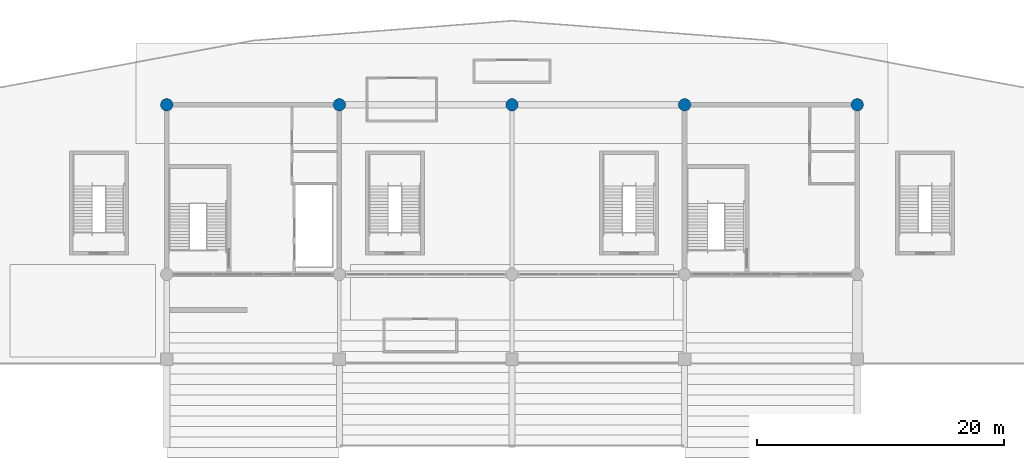
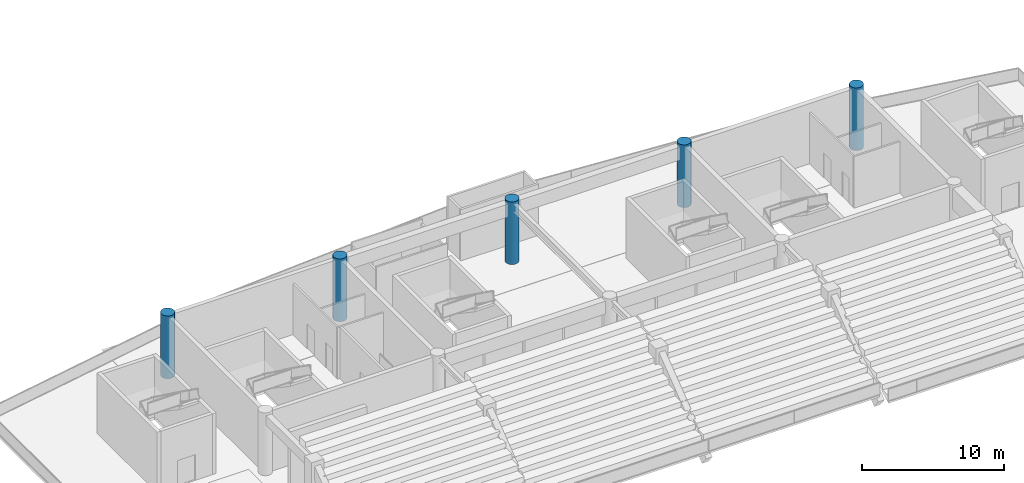
# One storey, part 19 of 117: 5 columns.
"""IFC4 building model written with IfcOpenShell, lengths in metres."""

from ifc_helpers import new_model, si_unit, direction, frame, origin, origin_2d, place, context, subcontext, project, spatial, circle, extrude, material, material_profile, profile_set, type_object, element, save


model = new_model("IFC4")

# Units and contexts
model_context = context("Model", 3, precision=1e-05, world=origin(), true_north=direction((0.0, 1.0)))
body_context = subcontext(model_context, "Body", "Model", "MODEL_VIEW")
ifc_project = project(units=[si_unit("LENGTHUNIT", "METRE"), si_unit("AREAUNIT", "SQUARE_METRE"), si_unit("VOLUMEUNIT", "CUBIC_METRE"), si_unit("PLANEANGLEUNIT", "RADIAN"), si_unit("MASSUNIT", "GRAM", prefix="KILO")], contexts=[model_context])

# Site, building, storey
site_placement = place(None, origin())
site = spatial("IfcSite", under=ifc_project, at=site_placement, CompositionType="ELEMENT")
building_placement = place(site_placement, origin())
building = spatial("IfcBuilding", under=site, at=building_placement, Name="Linyun Crest Stadium", CompositionType="ELEMENT")
storey_placement = place(building_placement, frame((0.0, 0.0, 6.0)))
storey = spatial("IfcBuildingStorey", under=building, at=storey_placement, Name="L02", CompositionType="ELEMENT", Elevation=6.0)

# Columns
ifc_material = material(Name="Concrete C50", Category="concrete")
ifc_material_profile = material_profile(ifc_material, circle(Radius=0.5, at=origin_2d()), Name="RC D1000")
ifc_profile_set = profile_set([ifc_material_profile], Name="Concrete C50")
column_type = type_object("IfcColumnType", Name="C09", PredefinedType="COLUMN", material=ifc_profile_set)
for number, where, z_axis, x_axis, name in (
    (1, (-28.0, 105.25, 0.0), (0.0, 0.0, 1.0), (1.0, 0.0, 0.0), "Column C09 L02 586"),
    (2, (-14.0, 105.25, 0.0), (0.0, 0.0, 1.0), (1.0, 0.0, 0.0), "Column C09 L02 607"),
    (3, (0.0, 105.25, 0.0), (0.0, 0.0, 1.0), (1.0, 0.0, 0.0), "Column C09 L02 628"),
    (4, (14.0, 105.25, 0.0), (0.0, 0.0, 1.0), (1.0, 0.0, 0.0), "Column C09 L02 649"),
    (5, (28.0, 105.25, 0.0), (0.0, 0.0, 1.0), (1.0, 0.0, 0.0), "Column C09 L02 670"),
):
    element("IfcColumn", number, at=place(storey_placement, frame(where, z_axis=z_axis, x_axis=x_axis)), inside=storey, type_object=column_type, Name=name, PredefinedType="COLUMN", context=body_context, shape_type="SweptSolid", body=[
        extrude(circle(Radius=0.5, at=origin_2d()), origin(), (0.0, 0.0, 1.0), 5.39794921875),
    ])

save(model, "model.ifc")
